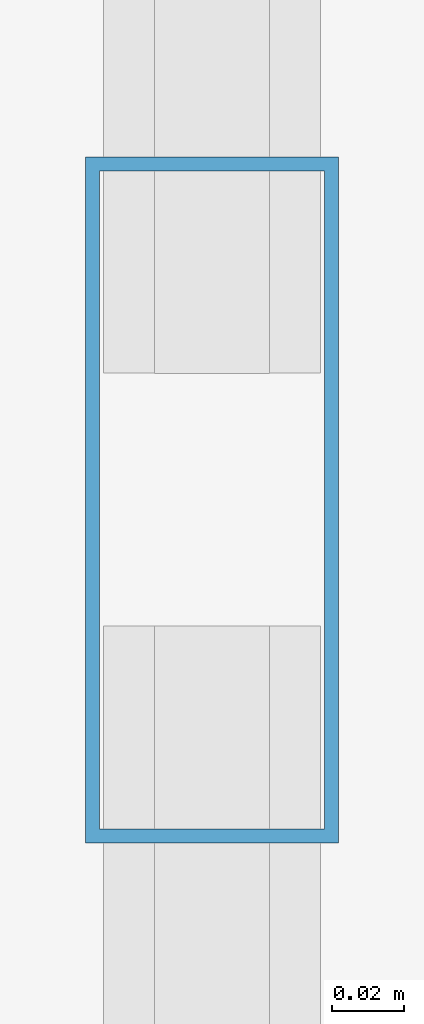
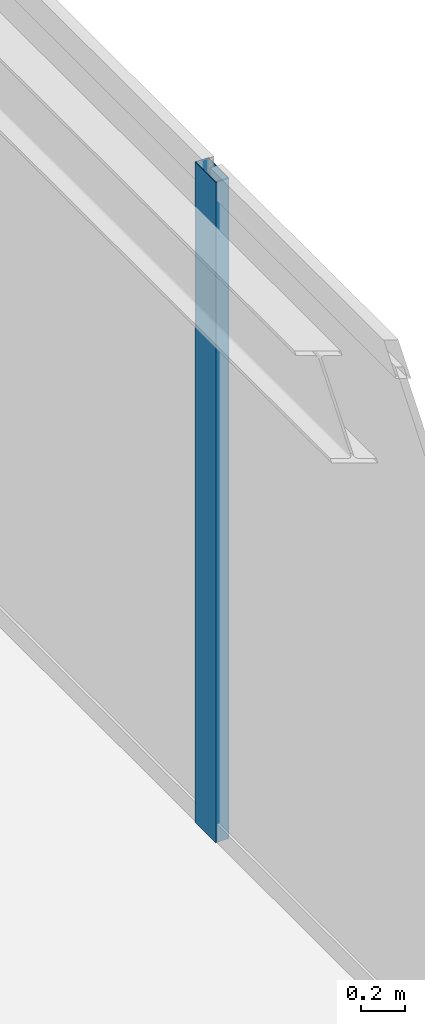
# One storey, part 18 of 31: 1 member, 1 element without a shape of its own.
"""IFC4 building model written with IfcOpenShell, lengths in metres."""

from ifc_helpers import new_model, si_unit, direction, frame, origin, origin_2d, place, context, subcontext, project, spatial, hollow_rectangle, extrude, source, transform, mapped, material, layer, layer_set, material_profile, profile_set, type_object, type_shapes, element, aggregate, save


model = new_model("IFC4")

# Units and contexts
model_context = context("Model", 3, precision=1e-05, world=origin(), true_north=direction((0.0, 1.0)))
body_context = subcontext(model_context, "Body", "Model", "MODEL_VIEW")
ifc_project = project(units=[si_unit("LENGTHUNIT", "METRE"), si_unit("AREAUNIT", "SQUARE_METRE"), si_unit("VOLUMEUNIT", "CUBIC_METRE"), si_unit("PLANEANGLEUNIT", "RADIAN"), si_unit("MASSUNIT", "GRAM", prefix="KILO")], contexts=[model_context])

# Site, building, storey
site_placement = place(None, origin())
site = spatial("IfcSite", under=ifc_project, at=site_placement, CompositionType="ELEMENT")
building_placement = place(site_placement, origin())
building = spatial("IfcBuilding", under=site, at=building_placement, Name="Varnel Quay Broadcast Tower", CompositionType="ELEMENT")
storey_placement = place(building_placement, frame((0.0, 0.0, 39.300048828125)))
storey = spatial("IfcBuildingStorey", under=building, at=storey_placement, Name="L08", CompositionType="ELEMENT", Elevation=39.300048828125)

# Curtain wall, member
ifc_material = material(Name="Anodised Bronze Aluminium 6063-T6", Category="aluminium")
ifc_layer = layer(ifc_material, 0.18994140625, Name="Anodised Bronze Aluminium 6063-T6")
ifc_layer_set = layer_set([ifc_layer], Name="Anodised Bronze Aluminium 6063-T6")
curtain_wall_type = type_object("IfcCurtainWallType", Name="CW_LowerTower", PredefinedType="NOTDEFINED", material=ifc_layer_set)
curtain_wall_placement = place(storey_placement, origin())
curtain_wall = element("IfcCurtainWall", 1, at=curtain_wall_placement, inside=storey, type_object=curtain_wall_type, Name="L08 East Unitised Curtain Wall", PredefinedType="NOTDEFINED")
ifc_material_profile = material_profile(ifc_material, hollow_rectangle(XDim=0.070068359375, YDim=0.18994140625, WallThickness=0.00390625, at=origin_2d()), Name="ALU70X190X4")
ifc_profile_set = profile_set([ifc_material_profile], Name="Anodised Bronze Aluminium 6063-T6")
member_type = type_object("IfcMemberType", Name="Mull_CWS-02", PredefinedType="MULLION", material=ifc_profile_set)
shared_shape = source(origin(), body_context, "Body", "SweptSolid", [
    extrude(hollow_rectangle(XDim=0.070068359375, YDim=0.18994140625, WallThickness=0.00390625, at=origin_2d()), origin(), (0.0, 0.0, 1.0), 3.64990234375),
])
type_shapes(member_type, [shared_shape])
member_placement = place(storey_placement, frame((65.85009765625, 30.39990234375, 0.0), z_axis=(0.0, 0.0, 1.0), x_axis=(-1.0, 0.0, 0.0)))
member = element("IfcMember", 2, at=member_placement, type_object=member_type, Name="CWS-02 mullion 3", PredefinedType="MULLION", context=body_context, shape_type="MappedRepresentation", body=[
    mapped(shared_shape, transform((0.0, 0.0, 0.0), x_axis=(1.0, 0.0, 0.0), y_axis=(0.0, 1.0, 0.0), z_axis=(0.0, 0.0, 1.0), scale=1.0)),
])
aggregate(curtain_wall, [member])

save(model, "model.ifc")
